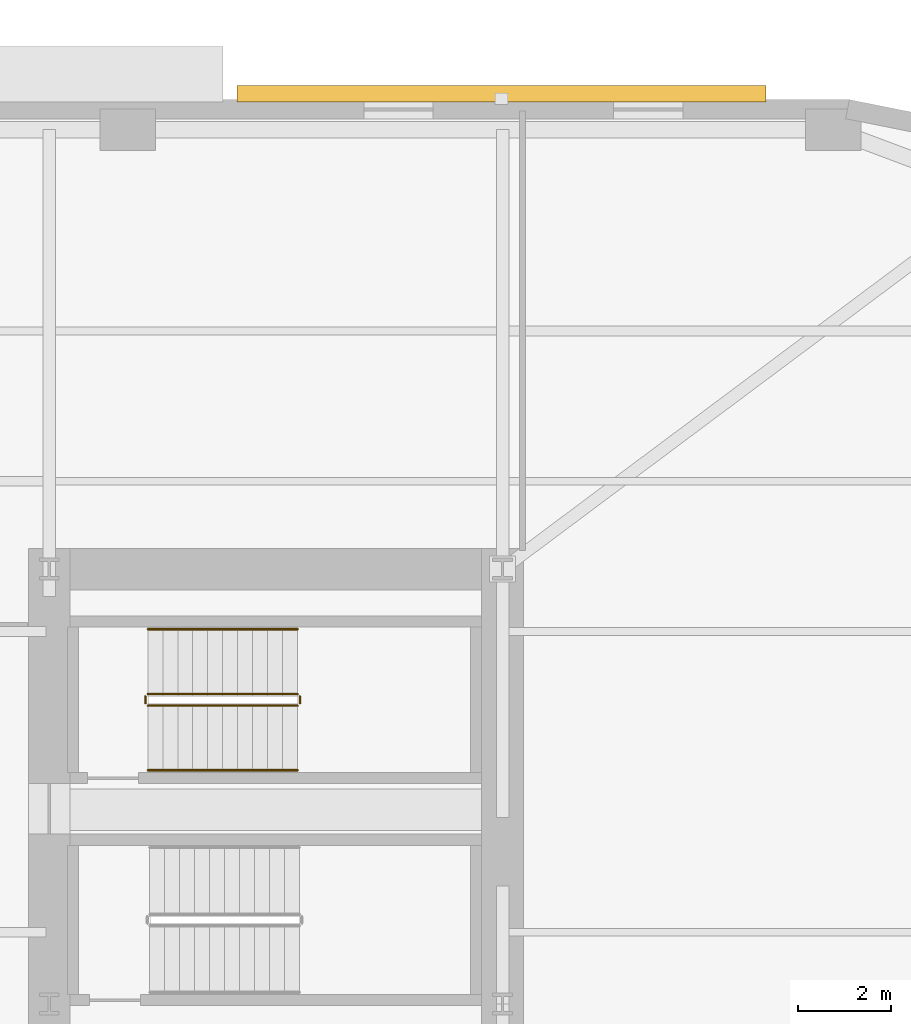
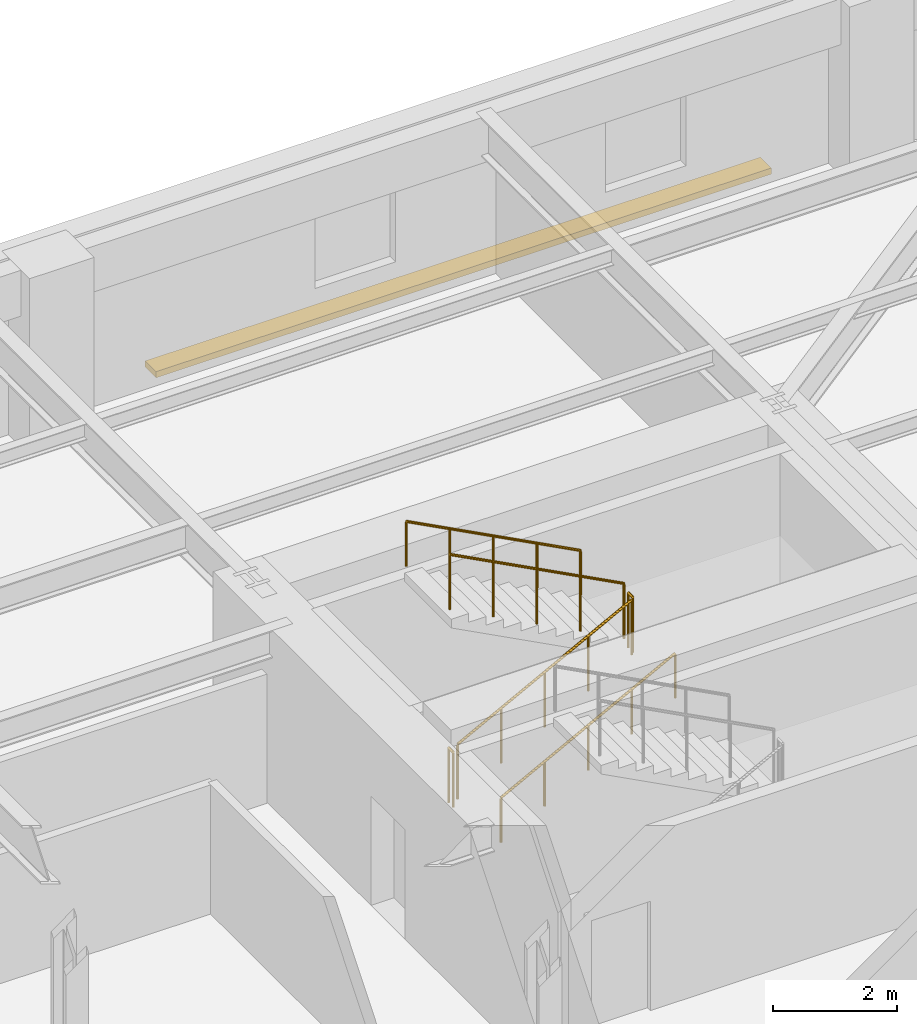
# One storey, part 13 of 14: 6 railings, 1 shading device.
"""IFC4 building model written with IfcOpenShell, lengths in metres."""

from ifc_helpers import new_model, si_unit, direction, frame, origin, origin_2d, place, context, subcontext, project, spatial, rectangle, circle, extrude, material, type_object, element, save


model = new_model("IFC4")

# Units and contexts
model_context = context("Model", 3, precision=1e-05, world=origin(), true_north=direction((0.0, 1.0)))
body_context = subcontext(model_context, "Body", "Model", "MODEL_VIEW")
ifc_project = project(units=[si_unit("LENGTHUNIT", "METRE"), si_unit("AREAUNIT", "SQUARE_METRE"), si_unit("VOLUMEUNIT", "CUBIC_METRE"), si_unit("PLANEANGLEUNIT", "RADIAN"), si_unit("MASSUNIT", "GRAM", prefix="KILO")], contexts=[model_context])

# Site, building, storey
site_placement = place(None, origin())
site = spatial("IfcSite", under=ifc_project, at=site_placement, CompositionType="ELEMENT")
building_placement = place(site_placement, origin())
building = spatial("IfcBuilding", under=site, at=building_placement, Name="Kolvaren Arena Tower", CompositionType="ELEMENT")
storey_placement = place(building_placement, frame((0.0, 0.0, 57.0)))
storey = spatial("IfcBuildingStorey", under=building, at=storey_placement, Name="L11", CompositionType="ELEMENT", Elevation=57.0)

# Railings
ifc_material_1 = material(Name="Painted galvanized steel", Category="steel")
railing_type_1 = type_object("IfcRailingType", Name="GUARD-ST-110", PredefinedType="GUARDRAIL", material=ifc_material_1)
railing_1_placement = place(storey_placement, frame((52.679931640625, 36.39990234375, 0.17041015625)))
element("IfcRailing", 1, at=railing_1_placement, inside=storey, type_object=railing_type_1, Name="L11 ST-E2 stair guard 1", PredefinedType="GUARDRAIL", context=body_context, shape_type="SweptSolid", body=[
    extrude(circle(Radius=0.02392578125, at=origin_2d()), frame((0.0, 0.0, 1.076171875), z_axis=(0.884993431791, 0.0, 0.465603506952), x_axis=(0.0, 1.0, 0.0)), (0.0, 0.0, 1.0), 3.6611328125),
    extrude(circle(Radius=0.02099609375, at=origin_2d()), origin(), (0.0, 0.0, 1.0), 1.052001953125),
    extrude(circle(Radius=0.02099609375, at=origin_2d()), frame((0.81005859375, 0.0, 0.42626953125)), (0.0, 0.0, 1.0), 1.052001953125),
    extrude(circle(Radius=0.02099609375, at=origin_2d()), frame((1.6201171875, 0.0, 0.852294921875)), (0.0, 0.0, 1.0), 1.052001953125),
    extrude(circle(Radius=0.02099609375, at=origin_2d()), frame((2.429931640625, 0.0, 1.2783203125)), (0.0, 0.0, 1.0), 1.052001953125),
    extrude(circle(Radius=0.02099609375, at=origin_2d()), frame((3.239990234375, 0.0, 1.70458984375)), (0.0, 0.0, 1.0), 1.052001953125),
])
railing_2_placement = place(storey_placement, frame((55.969970703125, 36.449951171875, 1.875)))
element("IfcRailing", 2, at=railing_2_placement, inside=storey, type_object=railing_type_1, Name="L11 ST-E2 stair guard 2", PredefinedType="GUARDRAIL", context=body_context, shape_type="SweptSolid", body=[
    extrude(circle(Radius=0.02392578125, at=origin_2d()), frame((0.0, 0.0, 1.076171875), z_axis=(0.0, 1.0, 0.0), x_axis=(-1.0, 0.0, 0.0)), (0.0, 0.0, 1.0), 0.150146484375),
    extrude(circle(Radius=0.02099609375, at=origin_2d()), origin(), (0.0, 0.0, 1.0), 1.052001953125),
    extrude(circle(Radius=0.02099609375, at=origin_2d()), frame((0.0, 0.150146484375, 0.0)), (0.0, 0.0, 1.0), 1.052001953125),
])
railing_3_placement = place(storey_placement, frame((55.919921875, 36.64990234375, 2.04541015625)))
element("IfcRailing", 3, at=railing_3_placement, inside=storey, type_object=railing_type_1, Name="L11 ST-E2 stair guard 3", PredefinedType="GUARDRAIL", context=body_context, shape_type="SweptSolid", body=[
    extrude(circle(Radius=0.02392578125, at=origin_2d()), frame((0.0, 0.0, 1.076171875), z_axis=(-0.884993431791, 0.0, 0.465603506952), x_axis=(0.0, -1.0, 0.0)), (0.0, 0.0, 1.0), 3.6611328125),
    extrude(circle(Radius=0.02099609375, at=origin_2d()), origin(), (0.0, 0.0, 1.0), 1.052001953125),
    extrude(circle(Radius=0.02099609375, at=origin_2d()), frame((-0.81005859375, 0.0, 0.42626953125)), (0.0, 0.0, 1.0), 1.052001953125),
    extrude(circle(Radius=0.02099609375, at=origin_2d()), frame((-1.6201171875, 0.0, 0.852294921875)), (0.0, 0.0, 1.0), 1.052001953125),
    extrude(circle(Radius=0.02099609375, at=origin_2d()), frame((-2.429931640625, 0.0, 1.2783203125)), (0.0, 0.0, 1.0), 1.052001953125),
    extrude(circle(Radius=0.02099609375, at=origin_2d()), frame((-3.239990234375, 0.0, 1.70458984375)), (0.0, 0.0, 1.0), 1.052001953125),
])
railing_4_placement = place(storey_placement, frame((52.6298828125, 36.449951171875, 0.0)))
element("IfcRailing", 4, at=railing_4_placement, inside=storey, type_object=railing_type_1, Name="L11 ST-E2 stair guard 4", PredefinedType="GUARDRAIL", context=body_context, shape_type="SweptSolid", body=[
    extrude(circle(Radius=0.02392578125, at=origin_2d()), frame((0.0, 0.0, 1.076171875), z_axis=(0.0, 1.0, 0.0), x_axis=(-1.0, 0.0, 0.0)), (0.0, 0.0, 1.0), 0.150146484375),
    extrude(circle(Radius=0.02099609375, at=origin_2d()), origin(), (0.0, 0.0, 1.0), 1.052001953125),
    extrude(circle(Radius=0.02099609375, at=origin_2d()), frame((0.0, 0.150146484375, 0.0)), (0.0, 0.0, 1.0), 1.052001953125),
])
ifc_material_2 = material(Name="Brushed stainless steel handrail", Category="steel")
railing_type_2 = type_object("IfcRailingType", Name="HRAIL-900", PredefinedType="HANDRAIL", material=ifc_material_2)
railing_5_placement = place(storey_placement, frame((52.679931640625, 35.0, 0.17041015625)))
element("IfcRailing", 5, at=railing_5_placement, inside=storey, type_object=railing_type_2, Name="L11 ST-E2 stair handrail 1", PredefinedType="HANDRAIL", context=body_context, shape_type="SweptSolid", body=[
    extrude(circle(Radius=0.02392578125, at=origin_2d()), frame((0.0, 0.0, 0.8759765625), z_axis=(0.884993431791, 0.0, 0.465603506952), x_axis=(0.0, 1.0, 0.0)), (0.0, 0.0, 1.0), 3.6611328125),
    extrude(circle(Radius=0.02099609375, at=origin_2d()), origin(), (0.0, 0.0, 1.0), 0.851806640625),
    extrude(circle(Radius=0.02099609375, at=origin_2d()), frame((0.81005859375, 0.0, 0.42626953125)), (0.0, 0.0, 1.0), 0.851806640625),
    extrude(circle(Radius=0.02099609375, at=origin_2d()), frame((1.6201171875, 0.0, 0.852294921875)), (0.0, 0.0, 1.0), 0.851806640625),
    extrude(circle(Radius=0.02099609375, at=origin_2d()), frame((2.429931640625, 0.0, 1.2783203125)), (0.0, 0.0, 1.0), 0.851806640625),
    extrude(circle(Radius=0.02099609375, at=origin_2d()), frame((3.239990234375, 0.0, 1.70458984375)), (0.0, 0.0, 1.0), 0.851806640625),
])
railing_6_placement = place(storey_placement, frame((55.919921875, 38.050048828125, 2.04541015625)))
element("IfcRailing", 6, at=railing_6_placement, inside=storey, type_object=railing_type_2, Name="L11 ST-E2 stair handrail 2", PredefinedType="HANDRAIL", context=body_context, shape_type="SweptSolid", body=[
    extrude(circle(Radius=0.02392578125, at=origin_2d()), frame((0.0, 0.0, 0.8759765625), z_axis=(-0.884993431791, 0.0, 0.465603506952), x_axis=(0.0, -1.0, 0.0)), (0.0, 0.0, 1.0), 3.6611328125),
    extrude(circle(Radius=0.02099609375, at=origin_2d()), origin(), (0.0, 0.0, 1.0), 0.851806640625),
    extrude(circle(Radius=0.02099609375, at=origin_2d()), frame((-0.81005859375, 0.0, 0.42626953125)), (0.0, 0.0, 1.0), 0.851806640625),
    extrude(circle(Radius=0.02099609375, at=origin_2d()), frame((-1.6201171875, 0.0, 0.852294921875)), (0.0, 0.0, 1.0), 0.851806640625),
    extrude(circle(Radius=0.02099609375, at=origin_2d()), frame((-2.429931640625, 0.0, 1.2783203125)), (0.0, 0.0, 1.0), 0.851806640625),
    extrude(circle(Radius=0.02099609375, at=origin_2d()), frame((-3.239990234375, 0.0, 1.70458984375)), (0.0, 0.0, 1.0), 0.851806640625),
])

# Shading device
ifc_material_3 = material(Name="Architectural precast GFRC and anodised aluminium sunshade", Category="concrete")
shading_device_type = type_object("IfcShadingDeviceType", Name="SHAD-SINE-A", PredefinedType="USERDEFINED", material=ifc_material_3)
shading_device_placement = place(storey_placement, frame((60.330078125, 49.6259765625, -0.14013671875), z_axis=(0.0, 0.0, 1.0), x_axis=(1.0, 0.0, 0.0)))
element("IfcShadingDevice", 7, at=shading_device_placement, inside=storey, type_object=shading_device_type, Name="Sinusoidal Slab-Edge Sunshade Louvre (L11)", ObjectType="LOUVRE", PredefinedType="USERDEFINED", context=body_context, shape_type="SweptSolid", body=[
    extrude(rectangle(XDim=11.43994140625, YDim=0.351806640625, at=origin_2d()), origin(), (0.0, 0.0, 1.0), 0.1201171875),
])

save(model, "model.ifc")
